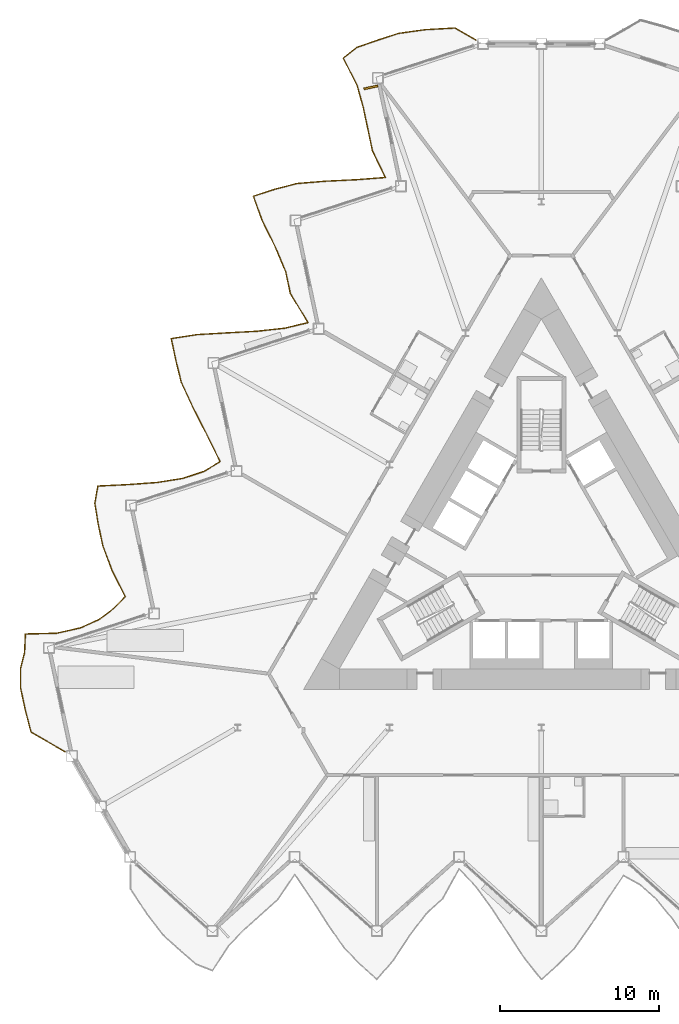
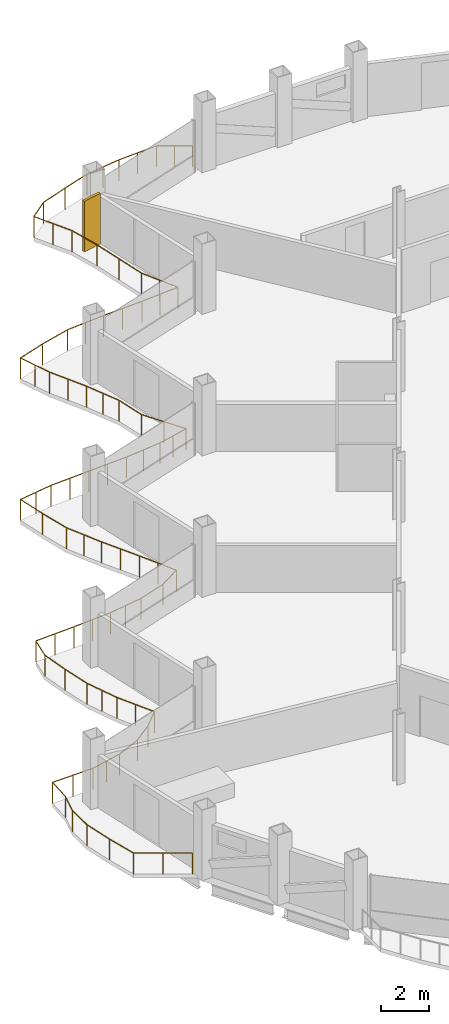
# One storey, part 21 of 24: 1 railing, 1 shading device.
"""IFC4 building model written with IfcOpenShell, lengths in metres."""

from ifc_helpers import new_model, si_unit, direction, frame, origin, origin_2d, place, context, subcontext, project, spatial, rectangle, circle, extrude, material, layer, layer_set, type_object, element, save


model = new_model("IFC4")

# Units and contexts
model_context = context("Model", 3, precision=1e-05, world=origin(), true_north=direction((0.0, 1.0)))
body_context = subcontext(model_context, "Body", "Model", "MODEL_VIEW")
ifc_project = project(units=[si_unit("LENGTHUNIT", "METRE"), si_unit("AREAUNIT", "SQUARE_METRE"), si_unit("VOLUMEUNIT", "CUBIC_METRE"), si_unit("PLANEANGLEUNIT", "RADIAN"), si_unit("MASSUNIT", "GRAM", prefix="KILO")], contexts=[model_context])

# Site, building, storey
site_placement = place(None, origin())
site = spatial("IfcSite", under=ifc_project, at=site_placement, CompositionType="ELEMENT")
building_placement = place(site_placement, origin())
building = spatial("IfcBuilding", under=site, at=building_placement, Name="Cormorant Prow Tower", CompositionType="ELEMENT")
storey_placement = place(building_placement, frame((0.0, 0.0, 274.199951171875)))
storey = spatial("IfcBuildingStorey", under=building, at=storey_placement, Name="L62", CompositionType="ELEMENT", Elevation=274.199951171875)

# Railing
ifc_material_1 = material(Name="Aluminium 6063-T6", Category="aluminium")
railing_type = type_object("IfcRailingType", Name="Balcony guard 1100", PredefinedType="GUARDRAIL", material=ifc_material_1)
railing_placement = place(storey_placement, frame((-4.12060546875, 32.31591796875, 0.0)))
element("IfcRailing", 1, at=railing_placement, inside=storey, type_object=railing_type, Name="Balcony guard WNW", PredefinedType="GUARDRAIL", context=body_context, shape_type="SweptSolid", body=[
    extrude(circle(Radius=0.02392578125, at=origin_2d()), frame((0.0, 0.0, 1.076171875), z_axis=(-0.866030456496, 0.499991248344, 0.0), x_axis=(-0.499991248344, -0.866030456496, 0.0)), (0.0, 0.0, 1.0), 1.52001953125),
    extrude(circle(Radius=0.02392578125, at=origin_2d()), frame((-1.31640625, 0.760009765625, 1.076171875), z_axis=(-0.998441257211, -0.055812685821, 0.0), x_axis=(0.055812685821, -0.998441257211, 0.0)), (0.0, 0.0, 1.0), 1.89404296875),
    extrude(circle(Radius=0.02392578125, at=origin_2d()), frame((-3.20751953125, 0.654296875, 1.076171875), z_axis=(-0.990522347648, -0.13735166111, 0.0), x_axis=(0.13735166111, -0.990522347648, 0.0)), (0.0, 0.0, 1.0), 1.688720703125),
    extrude(circle(Radius=0.02392578125, at=origin_2d()), frame((-4.880126953125, 0.42236328125, 1.076171875), z_axis=(-0.951070062621, -0.308975299961, 0.0), x_axis=(0.308975299961, -0.951070062621, 0.0)), (0.0, 0.0, 1.0), 1.3955078125),
    extrude(circle(Radius=0.02392578125, at=origin_2d()), frame((-6.207275390625, -0.0087890625, 1.076171875), z_axis=(-0.945287929623, -0.326237229802, 0.0), x_axis=(0.326237229802, -0.945287929623, 0.0)), (0.0, 0.0, 1.0), 1.373291015625),
    extrude(circle(Radius=0.02392578125, at=origin_2d()), frame((-7.50537109375, -0.456787109375, 1.076171875), z_axis=(-0.781317751431, -0.62413345632, 0.0), x_axis=(0.62413345632, -0.781317751431, 0.0)), (0.0, 0.0, 1.0), 1.11376953125),
    extrude(circle(Radius=0.02392578125, at=origin_2d()), frame((-8.37548828125, -1.15185546875, 1.076171875), z_axis=(0.456033866956, -0.889962421785, 0.0), x_axis=(0.889962421785, 0.456033866956, 0.0)), (0.0, 0.0, 1.0), 1.91064453125),
    extrude(circle(Radius=0.02392578125, at=origin_2d()), frame((-7.504150390625, -2.852294921875, 1.076171875), z_axis=(0.265340915805, -0.964154654814, 0.0), x_axis=(0.964154654814, 0.265340915805, 0.0)), (0.0, 0.0, 1.0), 1.476806640625),
    extrude(circle(Radius=0.02392578125, at=origin_2d()), frame((-7.1123046875, -4.276123046875, 1.076171875), z_axis=(0.208011494814, -0.978126381418, 0.0), x_axis=(0.978126381418, 0.208011494814, 0.0)), (0.0, 0.0, 1.0), 1.3955078125),
    extrude(circle(Radius=0.02392578125, at=origin_2d()), frame((-6.822021484375, -5.64111328125, 1.076171875), z_axis=(0.207844108816, -0.978161963292, 0.0), x_axis=(0.978161963292, 0.207844108816, 0.0)), (0.0, 0.0, 1.0), 1.3955078125),
    extrude(circle(Radius=0.02392578125, at=origin_2d()), frame((-6.531982421875, -7.006103515625, 1.076171875), z_axis=(0.437214931901, -0.899357049965, 0.0), x_axis=(0.899357049965, 0.437214931901, 0.0)), (0.0, 0.0, 1.0), 1.85107421875),
    extrude(circle(Radius=0.02392578125, at=origin_2d()), frame((-5.72265625, -8.6708984375, 1.076171875), z_axis=(-0.997130549267, -0.075701173826, 0.0), x_axis=(0.075701173826, -0.997130549267, 0.0)), (0.0, 0.0, 1.0), 1.83837890625),
    extrude(circle(Radius=0.02392578125, at=origin_2d()), frame((-7.5556640625, -8.81005859375, 1.076171875), z_axis=(-0.998819753931, -0.048570558551, 0.0), x_axis=(0.048570558551, -0.998819753931, 0.0)), (0.0, 0.0, 1.0), 1.9150390625),
    extrude(circle(Radius=0.02392578125, at=origin_2d()), frame((-9.468505859375, -8.903076171875, 1.076171875), z_axis=(-0.996802519892, -0.07990454516, 0.0), x_axis=(0.07990454516, -0.996802519892, 0.0)), (0.0, 0.0, 1.0), 1.8271484375),
    extrude(circle(Radius=0.02392578125, at=origin_2d()), frame((-11.289794921875, -9.049072265625, 1.076171875), z_axis=(-0.967804794979, -0.251701964268, 0.0), x_axis=(0.251701964268, -0.967804794979, 0.0)), (0.0, 0.0, 1.0), 1.477294921875),
    extrude(circle(Radius=0.02392578125, at=origin_2d()), frame((-12.719482421875, -9.4208984375, 1.076171875), z_axis=(-0.951035354166, -0.309082117125, 0.0), x_axis=(0.309082117125, -0.951035354166, 0.0)), (0.0, 0.0, 1.0), 1.395751953125),
    extrude(circle(Radius=0.02392578125, at=origin_2d()), frame((-14.046875, -9.852294921875, 1.076171875), z_axis=(0.336278456087, -0.941762602768, 0.0), x_axis=(0.941762602768, 0.336278456087, 0.0)), (0.0, 0.0, 1.0), 1.6015625),
    extrude(circle(Radius=0.02392578125, at=origin_2d()), frame((-13.50830078125, -11.360595703125, 1.076171875), z_axis=(0.444710837176, -0.895674199304, 0.0), x_axis=(0.895674199304, 0.444710837176, 0.0)), (0.0, 0.0, 1.0), 1.874267578125),
    extrude(circle(Radius=0.02392578125, at=origin_2d()), frame((-12.6748046875, -13.039306640625, 1.076171875), z_axis=(0.388577962589, -0.921415849109, 0.0), x_axis=(0.921415849109, 0.388577962589, 0.0)), (0.0, 0.0, 1.0), 1.7177734375),
    extrude(circle(Radius=0.02392578125, at=origin_2d()), frame((-12.00732421875, -14.6220703125, 1.076171875), z_axis=(0.208011494814, -0.978126381418, 0.0), x_axis=(0.978126381418, 0.208011494814, 0.0)), (0.0, 0.0, 1.0), 1.3955078125),
    extrude(circle(Radius=0.02392578125, at=origin_2d()), frame((-11.717041015625, -15.987060546875, 1.076171875), z_axis=(0.517332299857, -0.8557846058, 0.0), x_axis=(0.8557846058, 0.517332299857, 0.0)), (0.0, 0.0, 1.0), 2.149658203125),
    extrude(circle(Radius=0.02392578125, at=origin_2d()), frame((-10.60498046875, -17.82666015625, 1.076171875), z_axis=(-0.97245049545, -0.233109489081, 0.0), x_axis=(0.233109489081, -0.97245049545, 0.0)), (0.0, 0.0, 1.0), 1.507080078125),
    extrude(circle(Radius=0.02392578125, at=origin_2d()), frame((-12.070556640625, -18.177978515625, 1.076171875), z_axis=(-0.993986931126, -0.109498770549, 0.0), x_axis=(0.109498770549, -0.993986931126, 0.0)), (0.0, 0.0, 1.0), 1.75244140625),
    extrude(circle(Radius=0.02392578125, at=origin_2d()), frame((-13.8125, -18.369873046875, 1.076171875), z_axis=(-0.998548818791, -0.053854029486, 0.0), x_axis=(0.053854029486, -0.998548818791, 0.0)), (0.0, 0.0, 1.0), 1.8994140625),
    extrude(circle(Radius=0.02392578125, at=origin_2d()), frame((-15.709228515625, -18.47216796875, 1.076171875), z_axis=(-0.9983204373, -0.057933621232, 0.0), x_axis=(0.057933621232, -0.9983204373, 0.0)), (0.0, 0.0, 1.0), 1.887939453125),
    extrude(circle(Radius=0.02392578125, at=origin_2d()), frame((-17.593994140625, -18.58154296875, 1.076171875), z_axis=(-0.988397231228, -0.151891123177, 0.0), x_axis=(0.151891123177, -0.988397231228, 0.0)), (0.0, 0.0, 1.0), 1.6572265625),
    extrude(circle(Radius=0.02392578125, at=origin_2d()), frame((-19.23193359375, -18.833251953125, 1.076171875), z_axis=(0.207844108816, -0.978161963292, 0.0), x_axis=(0.978161963292, 0.207844108816, 0.0)), (0.0, 0.0, 1.0), 1.3955078125),
    extrude(circle(Radius=0.02392578125, at=origin_2d()), frame((-18.94189453125, -20.1982421875, 1.076171875), z_axis=(0.238937755178, -0.971034885651, 0.0), x_axis=(0.971034885651, 0.238937755178, 0.0)), (0.0, 0.0, 1.0), 1.437744140625),
    extrude(circle(Radius=0.02392578125, at=origin_2d()), frame((-18.598388671875, -21.59423828125, 1.076171875), z_axis=(0.421544507458, -0.906807712931, 0.0), x_axis=(0.906807712931, 0.421544507458, 0.0)), (0.0, 0.0, 1.0), 1.8046875),
    extrude(circle(Radius=0.02392578125, at=origin_2d()), frame((-17.837646484375, -23.230712890625, 1.076171875), z_axis=(0.45663271827, -0.889655304377, 0.0), x_axis=(0.889655304377, 0.45663271827, 0.0)), (0.0, 0.0, 1.0), 1.9130859375),
    extrude(circle(Radius=0.02392578125, at=origin_2d()), frame((-16.964111328125, -24.9326171875, 1.076171875), z_axis=(0.439254934307, -0.898362456187, 0.0), x_axis=(0.898362456187, 0.439254934307, 0.0)), (0.0, 0.0, 1.0), 1.85693359375),
    extrude(circle(Radius=0.02392578125, at=origin_2d()), frame((-16.1484375, -26.600830078125, 1.076171875), z_axis=(-0.855961161769, -0.517040123727, 0.0), x_axis=(0.517040123727, -0.855961161769, 0.0)), (0.0, 0.0, 1.0), 1.184326171875),
    extrude(circle(Radius=0.02392578125, at=origin_2d()), frame((-17.162109375, -27.213134765625, 1.076171875), z_axis=(-0.949192192898, -0.314696966845, 0.0), x_axis=(0.314696966845, -0.949192192898, 0.0)), (0.0, 0.0, 1.0), 1.387939453125),
    extrude(circle(Radius=0.02392578125, at=origin_2d()), frame((-18.4794921875, -27.64990234375, 1.076171875), z_axis=(-0.987424879835, -0.158088920178, 0.0), x_axis=(0.158088920178, -0.987424879835, 0.0)), (0.0, 0.0, 1.0), 1.644775390625),
    extrude(circle(Radius=0.02392578125, at=origin_2d()), frame((-20.103515625, -27.909912109375, 1.076171875), z_axis=(-0.997406138785, -0.071979124158, 0.0), x_axis=(0.071979124158, -0.997406138785, 0.0)), (0.0, 0.0, 1.0), 1.8486328125),
    extrude(circle(Radius=0.02392578125, at=origin_2d()), frame((-21.947265625, -28.04296875, 1.076171875), z_axis=(-0.998806440378, -0.048843573374, 0.0), x_axis=(0.048843573374, -0.998806440378, 0.0)), (0.0, 0.0, 1.0), 1.914306640625),
    extrude(circle(Radius=0.02392578125, at=origin_2d()), frame((-23.859375, -28.136474609375, 1.076171875), z_axis=(-0.173684358034, -0.984801372752, 0.0), x_axis=(0.984801372752, -0.173684358034, 0.0)), (0.0, 0.0, 1.0), 1.103515625),
    extrude(circle(Radius=0.02392578125, at=origin_2d()), frame((-24.051025390625, -29.22314453125, 1.076171875), z_axis=(0.159960681819, -0.987123386549, 0.0), x_axis=(0.987123386549, 0.159960681819, 0.0)), (0.0, 0.0, 1.0), 1.338623046875),
    extrude(circle(Radius=0.02392578125, at=origin_2d()), frame((-23.8369140625, -30.54443359375, 1.076171875), z_axis=(0.207879683612, -0.978154403528, 0.0), x_axis=(0.978154403528, 0.207879683612, 0.0)), (0.0, 0.0, 1.0), 1.395263671875),
    extrude(circle(Radius=0.02392578125, at=origin_2d()), frame((-23.546875, -31.9091796875, 1.076171875), z_axis=(0.350335769468, -0.936624176835, 0.0), x_axis=(0.936624176835, 0.350335769468, 0.0)), (0.0, 0.0, 1.0), 1.630615234375),
    extrude(circle(Radius=0.02392578125, at=origin_2d()), frame((-22.9755859375, -33.4365234375, 1.076171875), z_axis=(0.44716170479, -0.894453134473, 0.0), x_axis=(0.894453134473, 0.44716170479, 0.0)), (0.0, 0.0, 1.0), 1.882080078125),
    extrude(circle(Radius=0.02392578125, at=origin_2d()), frame((-22.134033203125, -35.119873046875, 1.076171875), z_axis=(-0.702880587272, -0.711307865862, 0.0), x_axis=(0.711307865862, -0.702880587272, 0.0)), (0.0, 0.0, 1.0), 1.072021484375),
    extrude(circle(Radius=0.02392578125, at=origin_2d()), frame((-22.887451171875, -35.88232421875, 1.076171875), z_axis=(-0.798071149434, -0.602563225265, 0.0), x_axis=(0.602563225265, -0.798071149434, 0.0)), (0.0, 0.0, 1.0), 1.12646484375),
    extrude(circle(Radius=0.02392578125, at=origin_2d()), frame((-23.786376953125, -36.56103515625, 1.076171875), z_axis=(-0.913229067405, -0.407446524648, 0.0), x_axis=(0.407446524648, -0.913229067405, 0.0)), (0.0, 0.0, 1.0), 1.281005859375),
    extrude(circle(Radius=0.02392578125, at=origin_2d()), frame((-24.956298828125, -37.0830078125, 1.076171875), z_axis=(-0.974997424337, -0.222216161737, 0.0), x_axis=(0.222216161737, -0.974997424337, 0.0)), (0.0, 0.0, 1.0), 1.52490234375),
    extrude(circle(Radius=0.02392578125, at=origin_2d()), frame((-26.443115234375, -37.421875, 1.076171875), z_axis=(-0.999705164386, -0.024281357035, 0.0), x_axis=(0.024281357035, -0.999705164386, 0.0)), (0.0, 0.0, 1.0), 1.99072265625),
    extrude(circle(Radius=0.02392578125, at=origin_2d()), frame((-28.433349609375, -37.47021484375, 1.076171875), z_axis=(-0.043636556241, -0.999047471825, 0.0), x_axis=(0.999047471825, -0.043636556241, 0.0)), (0.0, 0.0, 1.0), 1.16943359375),
    extrude(circle(Radius=0.02392578125, at=origin_2d()), frame((-28.484375, -38.638427734375, 1.076171875), z_axis=(-0.241470500674, -0.97040816016, 0.0), x_axis=(0.97040816016, -0.241470500674, 0.0)), (0.0, 0.0, 1.0), 1.078857421875),
    extrude(circle(Radius=0.02392578125, at=origin_2d()), frame((-28.744873046875, -39.685302734375, 1.076171875), z_axis=(0.010534261484, -0.999944513128, 0.0), x_axis=(0.999944513128, 0.010534261484, 0.0)), (0.0, 0.0, 1.0), 1.205078125),
    extrude(circle(Radius=0.02392578125, at=origin_2d()), frame((-28.732177734375, -40.890380859375, 1.076171875), z_axis=(0.208011494814, -0.978126381418, 0.0), x_axis=(0.978126381418, 0.208011494814, 0.0)), (0.0, 0.0, 1.0), 1.3955078125),
    extrude(circle(Radius=0.02392578125, at=origin_2d()), frame((-28.44189453125, -42.25537109375, 1.076171875), z_axis=(0.253157934407, -0.967424963626, 0.0), x_axis=(0.967424963626, 0.253157934407, 0.0)), (0.0, 0.0, 1.0), 1.458251953125),
    extrude(circle(Radius=0.02392578125, at=origin_2d()), frame((-28.07275390625, -43.666015625, 1.076171875), z_axis=(0.866052736899, -0.499952654668, 0.0), x_axis=(0.499952654668, 0.866052736899, 0.0)), (0.0, 0.0, 1.0), 2.478759765625),
    extrude(circle(Radius=0.02099609375, at=origin_2d()), origin(), (0.0, 0.0, 1.0), 1.052001953125),
    extrude(circle(Radius=0.02099609375, at=origin_2d()), frame((-0.658203125, 0.3798828125, 0.0)), (0.0, 0.0, 1.0), 1.052001953125),
    extrude(circle(Radius=0.02099609375, at=origin_2d()), frame((-1.31640625, 0.760009765625, 0.0)), (0.0, 0.0, 1.0), 1.052001953125),
    extrude(circle(Radius=0.02099609375, at=origin_2d()), frame((-2.261962890625, 0.70703125, 0.0)), (0.0, 0.0, 1.0), 1.052001953125),
    extrude(circle(Radius=0.02099609375, at=origin_2d()), frame((-3.20751953125, 0.654296875, 0.0)), (0.0, 0.0, 1.0), 1.052001953125),
    extrude(circle(Radius=0.02099609375, at=origin_2d()), frame((-4.0439453125, 0.538330078125, 0.0)), (0.0, 0.0, 1.0), 1.052001953125),
    extrude(circle(Radius=0.02099609375, at=origin_2d()), frame((-4.880126953125, 0.42236328125, 0.0)), (0.0, 0.0, 1.0), 1.052001953125),
    extrude(circle(Radius=0.02099609375, at=origin_2d()), frame((-6.207275390625, -0.0087890625, 0.0)), (0.0, 0.0, 1.0), 1.052001953125),
    extrude(circle(Radius=0.02099609375, at=origin_2d()), frame((-7.50537109375, -0.456787109375, 0.0)), (0.0, 0.0, 1.0), 1.052001953125),
    extrude(circle(Radius=0.02099609375, at=origin_2d()), frame((-8.37548828125, -1.15185546875, 0.0)), (0.0, 0.0, 1.0), 1.052001953125),
    extrude(circle(Radius=0.02099609375, at=origin_2d()), frame((-7.93994140625, -2.001953125, 0.0)), (0.0, 0.0, 1.0), 1.052001953125),
    extrude(circle(Radius=0.02099609375, at=origin_2d()), frame((-7.504150390625, -2.852294921875, 0.0)), (0.0, 0.0, 1.0), 1.052001953125),
    extrude(circle(Radius=0.02099609375, at=origin_2d()), frame((-7.1123046875, -4.276123046875, 0.0)), (0.0, 0.0, 1.0), 1.052001953125),
    extrude(circle(Radius=0.02099609375, at=origin_2d()), frame((-6.822021484375, -5.64111328125, 0.0)), (0.0, 0.0, 1.0), 1.052001953125),
    extrude(circle(Radius=0.02099609375, at=origin_2d()), frame((-6.531982421875, -7.006103515625, 0.0)), (0.0, 0.0, 1.0), 1.052001953125),
    extrude(circle(Radius=0.02099609375, at=origin_2d()), frame((-6.12744140625, -7.83837890625, 0.0)), (0.0, 0.0, 1.0), 1.052001953125),
    extrude(circle(Radius=0.02099609375, at=origin_2d()), frame((-5.72265625, -8.6708984375, 0.0)), (0.0, 0.0, 1.0), 1.052001953125),
    extrude(circle(Radius=0.02099609375, at=origin_2d()), frame((-6.63916015625, -8.740478515625, 0.0)), (0.0, 0.0, 1.0), 1.052001953125),
    extrude(circle(Radius=0.02099609375, at=origin_2d()), frame((-7.5556640625, -8.81005859375, 0.0)), (0.0, 0.0, 1.0), 1.052001953125),
    extrude(circle(Radius=0.02099609375, at=origin_2d()), frame((-8.51220703125, -8.8564453125, 0.0)), (0.0, 0.0, 1.0), 1.052001953125),
    extrude(circle(Radius=0.02099609375, at=origin_2d()), frame((-9.468505859375, -8.903076171875, 0.0)), (0.0, 0.0, 1.0), 1.052001953125),
    extrude(circle(Radius=0.02099609375, at=origin_2d()), frame((-10.379150390625, -8.97607421875, 0.0)), (0.0, 0.0, 1.0), 1.052001953125),
    extrude(circle(Radius=0.02099609375, at=origin_2d()), frame((-11.289794921875, -9.049072265625, 0.0)), (0.0, 0.0, 1.0), 1.052001953125),
    extrude(circle(Radius=0.02099609375, at=origin_2d()), frame((-12.719482421875, -9.4208984375, 0.0)), (0.0, 0.0, 1.0), 1.052001953125),
    extrude(circle(Radius=0.02099609375, at=origin_2d()), frame((-14.046875, -9.852294921875, 0.0)), (0.0, 0.0, 1.0), 1.052001953125),
    extrude(circle(Radius=0.02099609375, at=origin_2d()), frame((-13.777587890625, -10.6064453125, 0.0)), (0.0, 0.0, 1.0), 1.052001953125),
    extrude(circle(Radius=0.02099609375, at=origin_2d()), frame((-13.50830078125, -11.360595703125, 0.0)), (0.0, 0.0, 1.0), 1.052001953125),
    extrude(circle(Radius=0.02099609375, at=origin_2d()), frame((-13.091552734375, -12.199951171875, 0.0)), (0.0, 0.0, 1.0), 1.052001953125),
    extrude(circle(Radius=0.02099609375, at=origin_2d()), frame((-12.6748046875, -13.039306640625, 0.0)), (0.0, 0.0, 1.0), 1.052001953125),
    extrude(circle(Radius=0.02099609375, at=origin_2d()), frame((-12.341064453125, -13.83056640625, 0.0)), (0.0, 0.0, 1.0), 1.052001953125),
    extrude(circle(Radius=0.02099609375, at=origin_2d()), frame((-12.00732421875, -14.6220703125, 0.0)), (0.0, 0.0, 1.0), 1.052001953125),
    extrude(circle(Radius=0.02099609375, at=origin_2d()), frame((-11.717041015625, -15.987060546875, 0.0)), (0.0, 0.0, 1.0), 1.052001953125),
    extrude(circle(Radius=0.02099609375, at=origin_2d()), frame((-11.1611328125, -16.90673828125, 0.0)), (0.0, 0.0, 1.0), 1.052001953125),
    extrude(circle(Radius=0.02099609375, at=origin_2d()), frame((-10.60498046875, -17.82666015625, 0.0)), (0.0, 0.0, 1.0), 1.052001953125),
    extrude(circle(Radius=0.02099609375, at=origin_2d()), frame((-11.337890625, -18.00244140625, 0.0)), (0.0, 0.0, 1.0), 1.052001953125),
    extrude(circle(Radius=0.02099609375, at=origin_2d()), frame((-12.070556640625, -18.177978515625, 0.0)), (0.0, 0.0, 1.0), 1.052001953125),
    extrude(circle(Radius=0.02099609375, at=origin_2d()), frame((-12.94140625, -18.27392578125, 0.0)), (0.0, 0.0, 1.0), 1.052001953125),
    extrude(circle(Radius=0.02099609375, at=origin_2d()), frame((-13.8125, -18.369873046875, 0.0)), (0.0, 0.0, 1.0), 1.052001953125),
    extrude(circle(Radius=0.02099609375, at=origin_2d()), frame((-14.7607421875, -18.4208984375, 0.0)), (0.0, 0.0, 1.0), 1.052001953125),
    extrude(circle(Radius=0.02099609375, at=origin_2d()), frame((-15.709228515625, -18.47216796875, 0.0)), (0.0, 0.0, 1.0), 1.052001953125),
    extrude(circle(Radius=0.02099609375, at=origin_2d()), frame((-16.651611328125, -18.52685546875, 0.0)), (0.0, 0.0, 1.0), 1.052001953125),
    extrude(circle(Radius=0.02099609375, at=origin_2d()), frame((-17.593994140625, -18.58154296875, 0.0)), (0.0, 0.0, 1.0), 1.052001953125),
    extrude(circle(Radius=0.02099609375, at=origin_2d()), frame((-18.4130859375, -18.70751953125, 0.0)), (0.0, 0.0, 1.0), 1.052001953125),
    extrude(circle(Radius=0.02099609375, at=origin_2d()), frame((-19.23193359375, -18.833251953125, 0.0)), (0.0, 0.0, 1.0), 1.052001953125),
    extrude(circle(Radius=0.02099609375, at=origin_2d()), frame((-18.94189453125, -20.1982421875, 0.0)), (0.0, 0.0, 1.0), 1.052001953125),
    extrude(circle(Radius=0.02099609375, at=origin_2d()), frame((-18.598388671875, -21.59423828125, 0.0)), (0.0, 0.0, 1.0), 1.052001953125),
    extrude(circle(Radius=0.02099609375, at=origin_2d()), frame((-18.218017578125, -22.41259765625, 0.0)), (0.0, 0.0, 1.0), 1.052001953125),
    extrude(circle(Radius=0.02099609375, at=origin_2d()), frame((-17.837646484375, -23.230712890625, 0.0)), (0.0, 0.0, 1.0), 1.052001953125),
    extrude(circle(Radius=0.02099609375, at=origin_2d()), frame((-17.40087890625, -24.08154296875, 0.0)), (0.0, 0.0, 1.0), 1.052001953125),
    extrude(circle(Radius=0.02099609375, at=origin_2d()), frame((-16.964111328125, -24.9326171875, 0.0)), (0.0, 0.0, 1.0), 1.052001953125),
    extrude(circle(Radius=0.02099609375, at=origin_2d()), frame((-16.55615234375, -25.7666015625, 0.0)), (0.0, 0.0, 1.0), 1.052001953125),
    extrude(circle(Radius=0.02099609375, at=origin_2d()), frame((-16.1484375, -26.600830078125, 0.0)), (0.0, 0.0, 1.0), 1.052001953125),
    extrude(circle(Radius=0.02099609375, at=origin_2d()), frame((-17.162109375, -27.213134765625, 0.0)), (0.0, 0.0, 1.0), 1.052001953125),
    extrude(circle(Radius=0.02099609375, at=origin_2d()), frame((-18.4794921875, -27.64990234375, 0.0)), (0.0, 0.0, 1.0), 1.052001953125),
    extrude(circle(Radius=0.02099609375, at=origin_2d()), frame((-19.29150390625, -27.77978515625, 0.0)), (0.0, 0.0, 1.0), 1.052001953125),
    extrude(circle(Radius=0.02099609375, at=origin_2d()), frame((-20.103515625, -27.909912109375, 0.0)), (0.0, 0.0, 1.0), 1.052001953125),
    extrude(circle(Radius=0.02099609375, at=origin_2d()), frame((-21.025390625, -27.9765625, 0.0)), (0.0, 0.0, 1.0), 1.052001953125),
    extrude(circle(Radius=0.02099609375, at=origin_2d()), frame((-21.947265625, -28.04296875, 0.0)), (0.0, 0.0, 1.0), 1.052001953125),
    extrude(circle(Radius=0.02099609375, at=origin_2d()), frame((-22.9033203125, -28.08984375, 0.0)), (0.0, 0.0, 1.0), 1.052001953125),
    extrude(circle(Radius=0.02099609375, at=origin_2d()), frame((-23.859375, -28.136474609375, 0.0)), (0.0, 0.0, 1.0), 1.052001953125),
    extrude(circle(Radius=0.02099609375, at=origin_2d()), frame((-24.051025390625, -29.22314453125, 0.0)), (0.0, 0.0, 1.0), 1.052001953125),
    extrude(circle(Radius=0.02099609375, at=origin_2d()), frame((-23.8369140625, -30.54443359375, 0.0)), (0.0, 0.0, 1.0), 1.052001953125),
    extrude(circle(Radius=0.02099609375, at=origin_2d()), frame((-23.546875, -31.9091796875, 0.0)), (0.0, 0.0, 1.0), 1.052001953125),
    extrude(circle(Radius=0.02099609375, at=origin_2d()), frame((-23.26123046875, -32.6728515625, 0.0)), (0.0, 0.0, 1.0), 1.052001953125),
    extrude(circle(Radius=0.02099609375, at=origin_2d()), frame((-22.9755859375, -33.4365234375, 0.0)), (0.0, 0.0, 1.0), 1.052001953125),
    extrude(circle(Radius=0.02099609375, at=origin_2d()), frame((-22.5546875, -34.2783203125, 0.0)), (0.0, 0.0, 1.0), 1.052001953125),
    extrude(circle(Radius=0.02099609375, at=origin_2d()), frame((-22.134033203125, -35.119873046875, 0.0)), (0.0, 0.0, 1.0), 1.052001953125),
    extrude(circle(Radius=0.02099609375, at=origin_2d()), frame((-22.887451171875, -35.88232421875, 0.0)), (0.0, 0.0, 1.0), 1.052001953125),
    extrude(circle(Radius=0.02099609375, at=origin_2d()), frame((-23.786376953125, -36.56103515625, 0.0)), (0.0, 0.0, 1.0), 1.052001953125),
    extrude(circle(Radius=0.02099609375, at=origin_2d()), frame((-24.956298828125, -37.0830078125, 0.0)), (0.0, 0.0, 1.0), 1.052001953125),
    extrude(circle(Radius=0.02099609375, at=origin_2d()), frame((-25.69970703125, -37.25244140625, 0.0)), (0.0, 0.0, 1.0), 1.052001953125),
    extrude(circle(Radius=0.02099609375, at=origin_2d()), frame((-26.443115234375, -37.421875, 0.0)), (0.0, 0.0, 1.0), 1.052001953125),
    extrude(circle(Radius=0.02099609375, at=origin_2d()), frame((-27.438232421875, -37.446044921875, 0.0)), (0.0, 0.0, 1.0), 1.052001953125),
    extrude(circle(Radius=0.02099609375, at=origin_2d()), frame((-28.433349609375, -37.47021484375, 0.0)), (0.0, 0.0, 1.0), 1.052001953125),
    extrude(circle(Radius=0.02099609375, at=origin_2d()), frame((-28.484375, -38.638427734375, 0.0)), (0.0, 0.0, 1.0), 1.052001953125),
    extrude(circle(Radius=0.02099609375, at=origin_2d()), frame((-28.744873046875, -39.685302734375, 0.0)), (0.0, 0.0, 1.0), 1.052001953125),
    extrude(circle(Radius=0.02099609375, at=origin_2d()), frame((-28.732177734375, -40.890380859375, 0.0)), (0.0, 0.0, 1.0), 1.052001953125),
    extrude(circle(Radius=0.02099609375, at=origin_2d()), frame((-28.44189453125, -42.25537109375, 0.0)), (0.0, 0.0, 1.0), 1.052001953125),
    extrude(circle(Radius=0.02099609375, at=origin_2d()), frame((-28.07275390625, -43.666015625, 0.0)), (0.0, 0.0, 1.0), 1.052001953125),
    extrude(circle(Radius=0.02099609375, at=origin_2d()), frame((-26.99951171875, -44.28564453125, 0.0)), (0.0, 0.0, 1.0), 1.052001953125),
    extrude(circle(Radius=0.02099609375, at=origin_2d()), frame((-25.926025390625, -44.9052734375, 0.0)), (0.0, 0.0, 1.0), 1.052001953125),
])

# Shading device
ifc_material_2 = material(Name="Terracotta", Category="masonry")
ifc_layer = layer(ifc_material_2, 0.1201171875)
ifc_layer_set = layer_set([ifc_layer], Name="Terracotta")
shading_device_type = type_object("IfcShadingDeviceType", Name="Terracotta baguette fin 120x900x2600", PredefinedType="USERDEFINED", material=ifc_layer_set)
shading_device_placement = place(storey_placement, frame((-10.7509765625, 29.327392578125, 0.0), z_axis=(0.0, 0.0, 1.0), x_axis=(0.207911705739, -0.978147597562, 0.0)))
element("IfcShadingDevice", 2, at=shading_device_placement, inside=storey, type_object=shading_device_type, Name="Baguette fin WNW01", ObjectType="BAGUETTE", PredefinedType="USERDEFINED", context=body_context, shape_type="SweptSolid", body=[
    extrude(rectangle(XDim=0.1201171875, YDim=0.89990234375, at=origin_2d()), origin(), (0.0, 0.0, 1.0), 2.60009765625),
])

save(model, "model.ifc")
